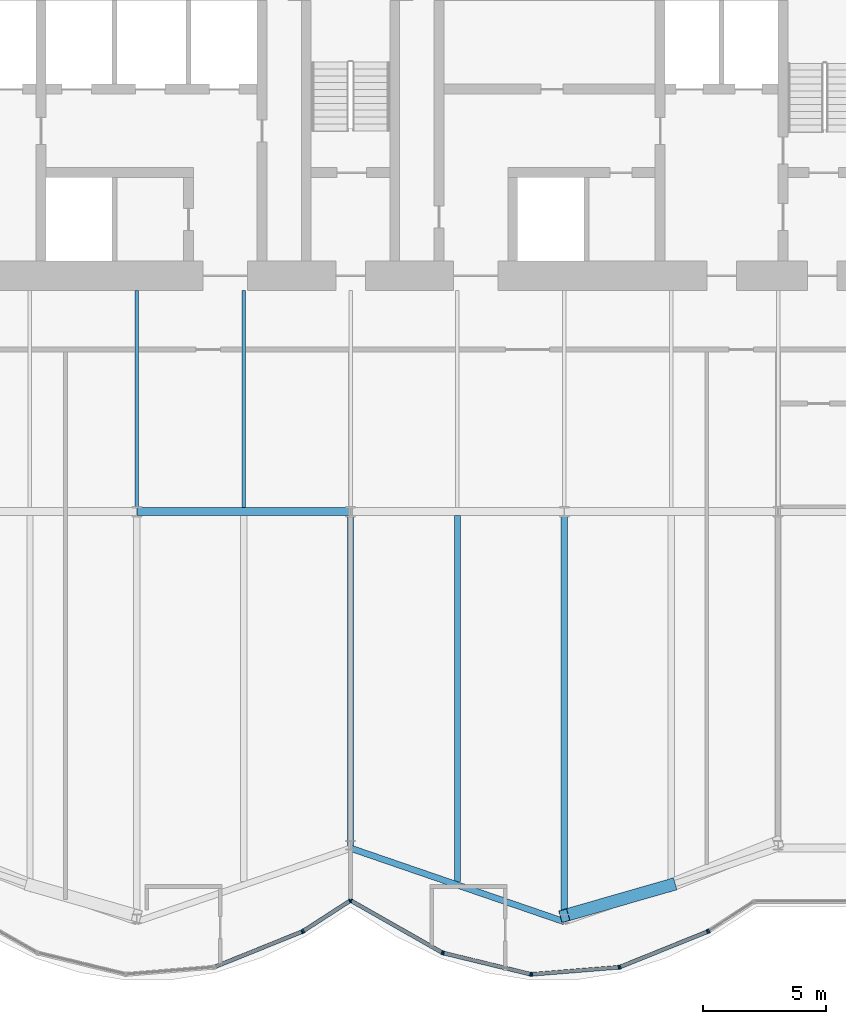
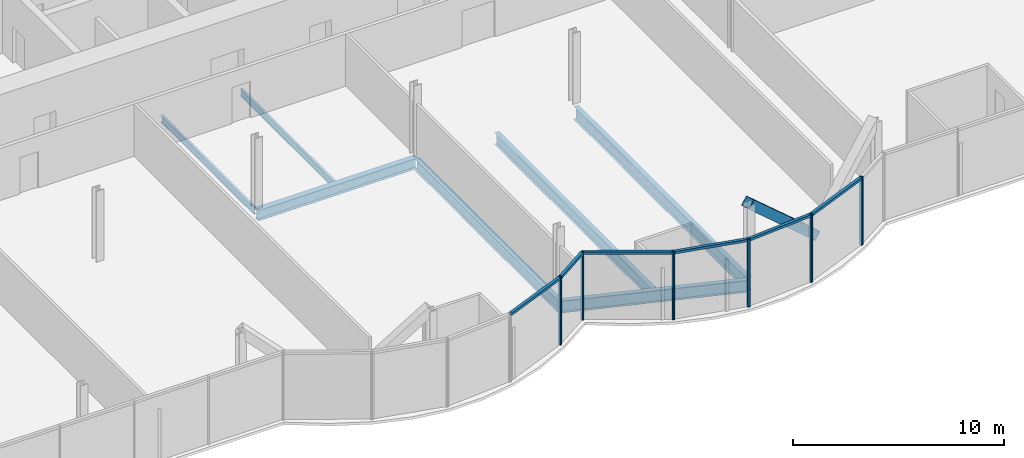
# One storey, part 7 of 21: 19 members, 7 beams, 2 elements without a shape of their own.
"""IFC4 building model written with IfcOpenShell, lengths in metres."""

from ifc_helpers import new_model, si_unit, direction, frame, origin, origin_2d, place, context, subcontext, project, spatial, rectangle, hollow_rectangle, i_section, extrude, material, material_profile, profile_set, type_object, element, aggregate, save


model = new_model("IFC4")

# Units and contexts
model_context = context("Model", 3, precision=1e-05, world=origin(), true_north=direction((0.0, 1.0)))
body_context = subcontext(model_context, "Body", "Model", "MODEL_VIEW")
ifc_project = project(units=[si_unit("LENGTHUNIT", "METRE"), si_unit("AREAUNIT", "SQUARE_METRE"), si_unit("VOLUMEUNIT", "CUBIC_METRE"), si_unit("PLANEANGLEUNIT", "RADIAN"), si_unit("MASSUNIT", "GRAM", prefix="KILO")], contexts=[model_context])

# Site, building, storey
site_placement = place(None, origin())
site = spatial("IfcSite", under=ifc_project, at=site_placement, CompositionType="ELEMENT")
building_placement = place(site_placement, origin())
building = spatial("IfcBuilding", under=site, at=building_placement, Name="Bicima Exchange Tower", CompositionType="ELEMENT")
storey_placement = place(building_placement, frame((0.0, 0.0, 106.300048828125)))
storey = spatial("IfcBuildingStorey", under=building, at=storey_placement, Name="L22", CompositionType="ELEMENT", Elevation=106.300048828125)

# Beams
ifc_material_1 = material(Name="Steel ASTM A992 Gr 50", Category="steel")
ifc_material_profile_1 = material_profile(ifc_material_1, i_section(OverallWidth=0.140380859375, OverallDepth=0.40380859375, WebThickness=0.007080078125, FlangeThickness=0.01123046875, at=origin_2d()))
ifc_profile_set_1 = profile_set([ifc_material_profile_1], Name="Steel ASTM A992 Gr 50")
beam_type_1 = type_object("IfcBeamType", Name="Floor beam W16x31", PredefinedType="JOIST", material=ifc_profile_set_1)
for number, where, z_axis, x_axis, name in (
    (1, (-8.699951171875, -13.0, -0.35205078125), (0.0, -1.0, 0.0), (1.0, 0.0, 0.0), "Floor beam"),
    (2, (-4.35009765625, -13.0, -0.35205078125), (0.0, -1.0, 0.0), (1.0, 0.0, 0.0), "Floor beam"),
):
    element("IfcBeam", number, at=place(storey_placement, frame(where, z_axis=z_axis, x_axis=x_axis)), inside=storey, type_object=beam_type_1, Name=name, PredefinedType="JOIST", context=body_context, shape_type="SweptSolid", body=[
        extrude(i_section(OverallWidth=0.140380859375, OverallDepth=0.40380859375, WebThickness=0.007080078125, FlangeThickness=0.01123046875, at=origin_2d()), origin(), (0.0, 0.0, 1.0), 8.83740234375),
    ])
ifc_material_profile_2 = material_profile(ifc_material_1, i_section(OverallWidth=0.25390625, OverallDepth=0.67822265625, WebThickness=0.01171875, FlangeThickness=0.016357421875, at=origin_2d()))
ifc_profile_set_2 = profile_set([ifc_material_profile_2], Name="Steel ASTM A992 Gr 50")
beam_type_2 = type_object("IfcBeamType", Name="Floor beam W27x84", PredefinedType="JOIST", material=ifc_profile_set_2)
beam_1_placement = place(storey_placement, frame((0.0, -22.16259765625, -0.4892578125), z_axis=(0.0, -1.0, 0.0), x_axis=(1.0, 0.0, 0.0)))
element("IfcBeam", 3, at=beam_1_placement, inside=storey, type_object=beam_type_2, Name="Floor beam", PredefinedType="JOIST", context=body_context, shape_type="SweptSolid", body=[
    extrude(i_section(OverallWidth=0.25390625, OverallDepth=0.67822265625, WebThickness=0.01171875, FlangeThickness=0.016357421875, at=origin_2d()), origin(), (0.0, 0.0, 1.0), 13.533447265625),
])
beam_2_placement = place(storey_placement, frame((4.35009765625, -22.16259765625, -0.4892578125), z_axis=(0.0, -1.0, 0.0), x_axis=(1.0, 0.0, 0.0)))
element("IfcBeam", 4, at=beam_2_placement, inside=storey, type_object=beam_type_2, Name="Floor beam", PredefinedType="JOIST", context=body_context, shape_type="SweptSolid", body=[
    extrude(i_section(OverallWidth=0.25390625, OverallDepth=0.67822265625, WebThickness=0.01171875, FlangeThickness=0.016357421875, at=origin_2d()), origin(), (0.0, 0.0, 1.0), 14.893310546875),
])
ifc_material_profile_3 = material_profile(ifc_material_1, i_section(OverallWidth=0.2666015625, OverallDepth=0.75439453125, WebThickness=0.01318359375, FlangeThickness=0.01708984375, at=origin_2d()))
ifc_profile_set_3 = profile_set([ifc_material_profile_3], Name="Steel ASTM A992 Gr 50")
beam_type_3 = type_object("IfcBeamType", Name="Floor beam W30x99", PredefinedType="JOIST", material=ifc_profile_set_3)
beam_3_placement = place(storey_placement, frame((8.699951171875, -22.16259765625, -0.52734375), z_axis=(0.0, -1.0, 0.0), x_axis=(1.0, 0.0, 0.0)))
element("IfcBeam", 5, at=beam_3_placement, inside=storey, type_object=beam_type_3, Name="Floor beam", PredefinedType="JOIST", context=body_context, shape_type="SweptSolid", body=[
    extrude(i_section(OverallWidth=0.2666015625, OverallDepth=0.75439453125, WebThickness=0.01318359375, FlangeThickness=0.01708984375, at=origin_2d()), origin(), (0.0, 0.0, 1.0), 16.388916015625),
])
ifc_material_profile_4 = material_profile(ifc_material_1, i_section(OverallWidth=0.256591796875, OverallDepth=0.693359375, WebThickness=0.014404296875, FlangeThickness=0.023681640625, at=origin_2d()))
ifc_profile_set_4 = profile_set([ifc_material_profile_4], Name="Steel ASTM A992 Gr 50")
beam_type_4 = type_object("IfcBeamType", Name="Front girder W27x114", PredefinedType="BEAM", material=ifc_profile_set_4)
beam_4_placement = place(storey_placement, frame((0.0, -35.696044921875, -0.496826171875), z_axis=(0.945674616091, -0.32511462668, 0.0), x_axis=(0.32511462668, 0.945674616091, 0.0)))
element("IfcBeam", 6, at=beam_4_placement, inside=storey, type_object=beam_type_4, Name="Front girder", PredefinedType="BEAM", context=body_context, shape_type="SweptSolid", body=[
    extrude(i_section(OverallWidth=0.256591796875, OverallDepth=0.693359375, WebThickness=0.014404296875, FlangeThickness=0.023681640625, at=origin_2d()), origin(), (0.0, 0.0, 1.0), 9.19970703125),
])

# Curtain wall, members
ifc_material_2 = material(Name="Anodised bronze aluminium", Category="aluminium")
curtain_wall_type = type_object("IfcCurtainWallType", Name="Front glass wall", PredefinedType="NOTDEFINED", material=ifc_material_2)
curtain_wall_1_placement = place(storey_placement, origin())
curtain_wall_1 = element("IfcCurtainWall", 7, at=curtain_wall_1_placement, inside=storey, type_object=curtain_wall_type, Name="Front glass wall L22 run 6", PredefinedType="NOTDEFINED")
ifc_material_profile_5 = material_profile(ifc_material_2, rectangle(XDim=0.159912109375, YDim=0.06005859375, at=origin_2d()))
ifc_profile_set_5 = profile_set([ifc_material_profile_5], Name="Anodised bronze aluminium")
member_type_1 = type_object("IfcMemberType", Name="Front glass wall mullion 60 x 160", PredefinedType="MULLION", material=ifc_profile_set_5)
member_1_placement = place(storey_placement, frame((-1.97412109375, -39.091552734375, 0.0), z_axis=(0.0, 0.0, 1.0), x_axis=(-0.374705304, 0.92714396679, 0.0)))
member_1 = element("IfcMember", 8, at=member_1_placement, type_object=member_type_1, Name="Front glass wall mullion 2", PredefinedType="MULLION", context=body_context, shape_type="SweptSolid", body=[
    extrude(rectangle(XDim=0.159912109375, YDim=0.06005859375, at=origin_2d()), origin(), (0.0, 0.0, 1.0), 3.949951171875),
])
member_2_placement = place(storey_placement, frame((-1.921142578125, -39.064208984375, 0.0), z_axis=(0.0, 0.0, 1.0), x_axis=(-0.542897457326, 0.839798994301, 0.0)))
member_2 = element("IfcMember", 9, at=member_2_placement, type_object=member_type_1, Name="Front glass wall mullion 1", PredefinedType="MULLION", context=body_context, shape_type="SweptSolid", body=[
    extrude(rectangle(XDim=0.159912109375, YDim=0.06005859375, at=origin_2d()), origin(), (0.0, 0.0, 1.0), 3.949951171875),
])
member_3_placement = place(storey_placement, frame((-0.025146484375, -37.83837890625, 0.0), z_axis=(0.0, 0.0, 1.0), x_axis=(-0.542897457326, 0.839798994301, 0.0)))
member_3 = element("IfcMember", 10, at=member_3_placement, type_object=member_type_1, Name="Front glass wall mullion 2", PredefinedType="MULLION", context=body_context, shape_type="SweptSolid", body=[
    extrude(rectangle(XDim=0.159912109375, YDim=0.06005859375, at=origin_2d()), origin(), (0.0, 0.0, 1.0), 3.949951171875),
])

curtain_wall_2_placement = place(storey_placement, origin())
curtain_wall_2 = element("IfcCurtainWall", 11, at=curtain_wall_2_placement, inside=storey, type_object=curtain_wall_type, Name="Front glass wall L22 run 11", PredefinedType="NOTDEFINED")
member_4_placement = place(storey_placement, frame((0.026123046875, -37.8369140625, 0.0), z_axis=(0.0, 0.0, 1.0), x_axis=(0.494330311331, 0.869274147378, 0.0)))
member_4 = element("IfcMember", 12, at=member_4_placement, type_object=member_type_1, Name="Front glass wall mullion 1", PredefinedType="MULLION", context=body_context, shape_type="SweptSolid", body=[
    extrude(rectangle(XDim=0.159912109375, YDim=0.06005859375, at=origin_2d()), origin(), (0.0, 0.0, 1.0), 3.949951171875),
])
member_5_placement = place(storey_placement, frame((3.7265625, -39.94140625, 0.0), z_axis=(0.0, 0.0, 1.0), x_axis=(0.494330311331, 0.869274147378, 0.0)))
member_5 = element("IfcMember", 13, at=member_5_placement, type_object=member_type_1, Name="Front glass wall mullion 2", PredefinedType="MULLION", context=body_context, shape_type="SweptSolid", body=[
    extrude(rectangle(XDim=0.159912109375, YDim=0.06005859375, at=origin_2d()), origin(), (0.0, 0.0, 1.0), 3.949951171875),
])
member_6_placement = place(storey_placement, frame((3.781982421875, -39.96337890625, 0.0), z_axis=(0.0, 0.0, 1.0), x_axis=(0.235681529503, 0.971830343553, 0.0)))
member_6 = element("IfcMember", 14, at=member_6_placement, type_object=member_type_1, Name="Front glass wall mullion 1", PredefinedType="MULLION", context=body_context, shape_type="SweptSolid", body=[
    extrude(rectangle(XDim=0.159912109375, YDim=0.06005859375, at=origin_2d()), origin(), (0.0, 0.0, 1.0), 3.949951171875),
])
member_7_placement = place(storey_placement, frame((7.322509765625, -40.822021484375, 0.0), z_axis=(0.0, 0.0, 1.0), x_axis=(0.235681529503, 0.971830343553, 0.0)))
member_7 = element("IfcMember", 15, at=member_7_placement, type_object=member_type_1, Name="Front glass wall mullion 2", PredefinedType="MULLION", context=body_context, shape_type="SweptSolid", body=[
    extrude(rectangle(XDim=0.159912109375, YDim=0.06005859375, at=origin_2d()), origin(), (0.0, 0.0, 1.0), 3.949951171875),
])
member_8_placement = place(storey_placement, frame((7.381591796875, -40.82666015625, 0.0), z_axis=(0.0, 0.0, 1.0), x_axis=(-0.080588612633, 0.99674744821, 0.0)))
member_8 = element("IfcMember", 16, at=member_8_placement, type_object=member_type_1, Name="Front glass wall mullion 1", PredefinedType="MULLION", context=body_context, shape_type="SweptSolid", body=[
    extrude(rectangle(XDim=0.159912109375, YDim=0.06005859375, at=origin_2d()), origin(), (0.0, 0.0, 1.0), 3.949951171875),
])
member_9_placement = place(storey_placement, frame((10.916015625, -40.540771484375, 0.0), z_axis=(0.0, 0.0, 1.0), x_axis=(-0.080588612633, 0.99674744821, 0.0)))
member_9 = element("IfcMember", 17, at=member_9_placement, type_object=member_type_1, Name="Front glass wall mullion 2", PredefinedType="MULLION", context=body_context, shape_type="SweptSolid", body=[
    extrude(rectangle(XDim=0.159912109375, YDim=0.06005859375, at=origin_2d()), origin(), (0.0, 0.0, 1.0), 3.949951171875),
])
member_10_placement = place(storey_placement, frame((10.973876953125, -40.527099609375, 0.0), z_axis=(0.0, 0.0, 1.0), x_axis=(-0.374705304, 0.92714396679, 0.0)))
member_10 = element("IfcMember", 18, at=member_10_placement, type_object=member_type_1, Name="Front glass wall mullion 1", PredefinedType="MULLION", context=body_context, shape_type="SweptSolid", body=[
    extrude(rectangle(XDim=0.159912109375, YDim=0.06005859375, at=origin_2d()), origin(), (0.0, 0.0, 1.0), 3.949951171875),
])
member_11_placement = place(storey_placement, frame((14.52587890625, -39.091552734375, 0.0), z_axis=(0.0, 0.0, 1.0), x_axis=(-0.374705304, 0.92714396679, 0.0)))
member_11 = element("IfcMember", 19, at=member_11_placement, type_object=member_type_1, Name="Front glass wall mullion 2", PredefinedType="MULLION", context=body_context, shape_type="SweptSolid", body=[
    extrude(rectangle(XDim=0.159912109375, YDim=0.06005859375, at=origin_2d()), origin(), (0.0, 0.0, 1.0), 3.949951171875),
])
member_12_placement = place(storey_placement, frame((14.578857421875, -39.064208984375, 0.0), z_axis=(0.0, 0.0, 1.0), x_axis=(-0.542909183079, 0.839791413941, 0.0)))
member_12 = element("IfcMember", 20, at=member_12_placement, type_object=member_type_1, Name="Front glass wall mullion 1", PredefinedType="MULLION", context=body_context, shape_type="SweptSolid", body=[
    extrude(rectangle(XDim=0.159912109375, YDim=0.06005859375, at=origin_2d()), origin(), (0.0, 0.0, 1.0), 3.949951171875),
])

# Member
ifc_material_profile_6 = material_profile(ifc_material_2, rectangle(XDim=0.159912109375, YDim=0.139892578125, at=origin_2d()))
ifc_profile_set_6 = profile_set([ifc_material_profile_6], Name="Anodised bronze aluminium")
member_type_2 = type_object("IfcMemberType", Name="Front glass wall transom 140 x 160", PredefinedType="USERDEFINED", material=ifc_profile_set_6)
member_13_placement = place(storey_placement, frame((-5.498291015625, -40.515869140625, 3.8798828125), z_axis=(0.927140215882, 0.374714584842, 0.0), x_axis=(-0.374714584842, 0.927140215882, 0.0)))
member_13 = element("IfcMember", 21, at=member_13_placement, type_object=member_type_2, Name="Front glass wall transom 1.1", ObjectType="TRANSOM", PredefinedType="USERDEFINED", context=body_context, shape_type="SweptSolid", body=[
    extrude(rectangle(XDim=0.159912109375, YDim=0.139892578125, at=origin_2d()), origin(), (0.0, 0.0, 1.0), 3.77099609375),
])

member_14_placement = place(storey_placement, frame((-1.89599609375, -39.0478515625, 3.8798828125), z_axis=(0.839811483481, 0.542878137536, 0.0), x_axis=(-0.542878137536, 0.839811483481, 0.0)))
member_14 = element("IfcMember", 22, at=member_14_placement, type_object=member_type_2, Name="Front glass wall transom 1.1", ObjectType="TRANSOM", PredefinedType="USERDEFINED", context=body_context, shape_type="SweptSolid", body=[
    extrude(rectangle(XDim=0.159912109375, YDim=0.139892578125, at=origin_2d()), origin(), (0.0, 0.0, 1.0), 2.19775390625),
])

aggregate(curtain_wall_1, [member_1, member_13, member_2, member_3, member_14])

member_15_placement = place(storey_placement, frame((0.05224609375, -37.851806640625, 3.8798828125), z_axis=(0.869265121745, -0.494346182466, 0.0), x_axis=(0.494346182466, 0.869265121745, 0.0)))
member_15 = element("IfcMember", 23, at=member_15_placement, type_object=member_type_2, Name="Front glass wall transom 1.1", ObjectType="TRANSOM", PredefinedType="USERDEFINED", context=body_context, shape_type="SweptSolid", body=[
    extrude(rectangle(XDim=0.159912109375, YDim=0.139892578125, at=origin_2d()), origin(), (0.0, 0.0, 1.0), 4.19677734375),
])

member_16_placement = place(storey_placement, frame((3.81103515625, -39.97021484375, 3.8798828125), z_axis=(0.971817951661, -0.235732621477, 0.0), x_axis=(0.235732621477, 0.971817951661, 0.0)))
member_16 = element("IfcMember", 24, at=member_16_placement, type_object=member_type_2, Name="Front glass wall transom 1.1", ObjectType="TRANSOM", PredefinedType="USERDEFINED", context=body_context, shape_type="SweptSolid", body=[
    extrude(rectangle(XDim=0.159912109375, YDim=0.139892578125, at=origin_2d()), origin(), (0.0, 0.0, 1.0), 3.58349609375),
])

member_17_placement = place(storey_placement, frame((7.41162109375, -40.82421875, 3.8798828125), z_axis=(0.9967456465, 0.080610893699, 0.0), x_axis=(-0.080610893699, 0.9967456465, 0.0)))
member_17 = element("IfcMember", 25, at=member_17_placement, type_object=member_type_2, Name="Front glass wall transom 1.1", ObjectType="TRANSOM", PredefinedType="USERDEFINED", context=body_context, shape_type="SweptSolid", body=[
    extrude(rectangle(XDim=0.159912109375, YDim=0.139892578125, at=origin_2d()), origin(), (0.0, 0.0, 1.0), 3.48583984375),
])

member_18_placement = place(storey_placement, frame((11.001708984375, -40.515869140625, 3.8798828125), z_axis=(0.927140215882, 0.374714584842, 0.0), x_axis=(-0.374714584842, 0.927140215882, 0.0)))
member_18 = element("IfcMember", 26, at=member_18_placement, type_object=member_type_2, Name="Front glass wall transom 1.1", ObjectType="TRANSOM", PredefinedType="USERDEFINED", context=body_context, shape_type="SweptSolid", body=[
    extrude(rectangle(XDim=0.159912109375, YDim=0.139892578125, at=origin_2d()), origin(), (0.0, 0.0, 1.0), 3.77099609375),
])

aggregate(curtain_wall_2, [member_4, member_5, member_15, member_6, member_7, member_16, member_8, member_9, member_17, member_10, member_11, member_18, member_12])

ifc_material_3 = material(Name="Steel ASTM A572 Gr 50", Category="steel")
ifc_material_profile_7 = material_profile(ifc_material_3, hollow_rectangle(XDim=0.508056640625, YDim=0.508056640625, WallThickness=0.0146484375, at=origin_2d()))
ifc_profile_set_7 = profile_set([ifc_material_profile_7], Name="Steel ASTM A572 Gr 50")
member_type_3 = type_object("IfcMemberType", Name="Mega brace HSS20x20x5/8", PredefinedType="BRACE", material=ifc_profile_set_7)
member_19_placement = place(storey_placement, frame((13.050048828125, -37.19140625, 0.0), z_axis=(-0.712280173437, -0.204953443103, 0.671305474943), x_axis=(0.276522876258, -0.961007335511, 0.0)))
element("IfcMember", 27, at=member_19_placement, inside=storey, type_object=member_type_3, Name="Mega brace front", PredefinedType="BRACE", context=body_context, shape_type="SweptSolid", body=[
    extrude(hollow_rectangle(XDim=0.508056640625, YDim=0.508056640625, WallThickness=0.0146484375, at=origin_2d()), origin(), (0.0, 0.0, 1.0), 6.107177734375),
])

# Beam
ifc_material_profile_8 = material_profile(ifc_material_1, i_section(OverallWidth=0.3251953125, OverallDepth=0.612060546875, WebThickness=0.0126953125, FlangeThickness=0.01904296875, at=origin_2d()))
ifc_profile_set_8 = profile_set([ifc_material_profile_8], Name="Steel ASTM A992 Gr 50")
beam_type_5 = type_object("IfcBeamType", Name="Row girder W24x104", PredefinedType="BEAM", material=ifc_profile_set_8)
beam_5_placement = place(storey_placement, frame((-8.699951171875, -22.0, -0.4560546875), z_axis=(1.0, 0.0, 0.0), x_axis=(0.0, 1.0, 0.0)))
element("IfcBeam", 28, at=beam_5_placement, inside=storey, type_object=beam_type_5, Name="Row girder", PredefinedType="BEAM", context=body_context, shape_type="SweptSolid", body=[
    extrude(i_section(OverallWidth=0.3251953125, OverallDepth=0.612060546875, WebThickness=0.0126953125, FlangeThickness=0.01904296875, at=origin_2d()), origin(), (0.0, 0.0, 1.0), 8.699951171875),
])

save(model, "model.ifc")
